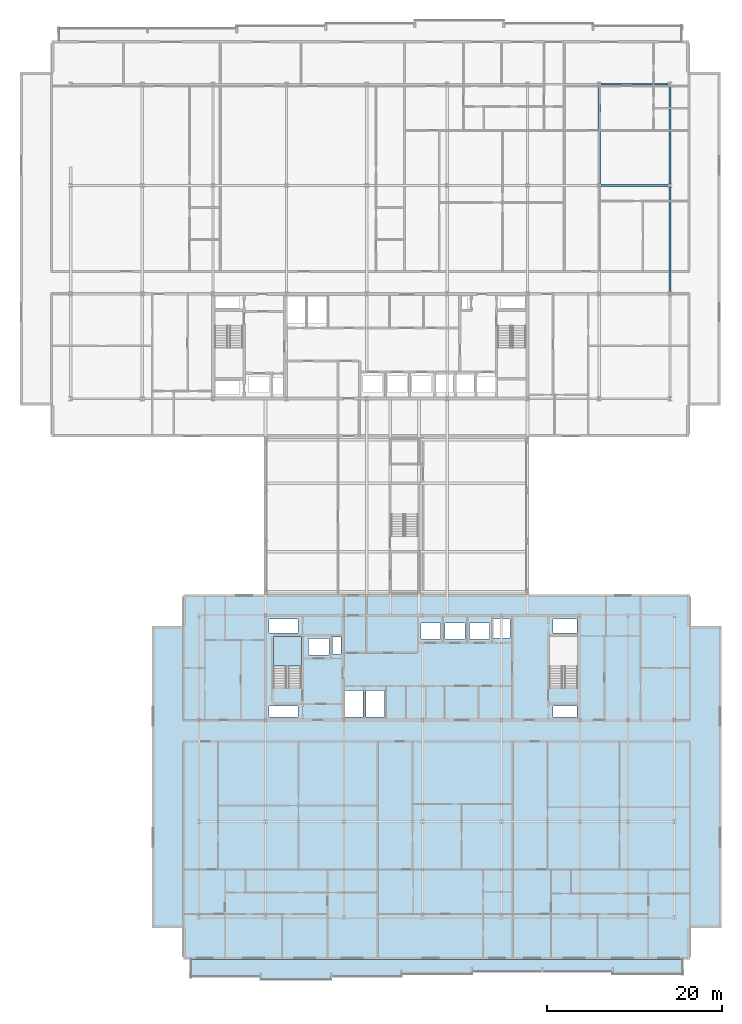
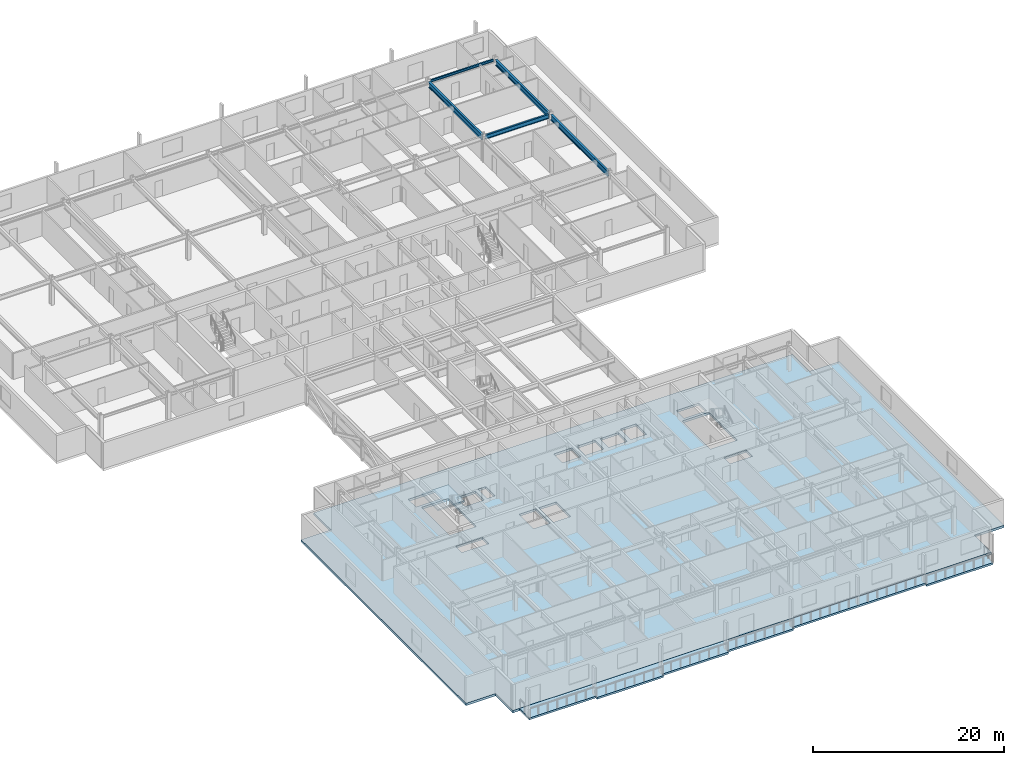
# One storey, part 14 of 36: 5 beams, 3 slabs, 1 element without a shape of its own.
"""IFC4 building model written with IfcOpenShell, lengths in metres."""

from ifc_helpers import new_model, si_unit, direction, frame, origin, origin_2d, place, context, subcontext, project, spatial, polyline, i_section, outline, extrude, material, layer, layer_set, material_profile, profile_set, type_object, element, aggregate, save


model = new_model("IFC4")

# Units and contexts
model_context = context("Model", 3, precision=1e-05, world=origin(), true_north=direction((0.0, 1.0)))
body_context = subcontext(model_context, "Body", "Model", "MODEL_VIEW")
ifc_project = project(units=[si_unit("LENGTHUNIT", "METRE"), si_unit("AREAUNIT", "SQUARE_METRE"), si_unit("VOLUMEUNIT", "CUBIC_METRE"), si_unit("PLANEANGLEUNIT", "RADIAN"), si_unit("MASSUNIT", "GRAM", prefix="KILO")], contexts=[model_context])

# Site, building, storey
site_placement = place(None, origin())
site = spatial("IfcSite", under=ifc_project, at=site_placement, CompositionType="ELEMENT")
building_placement = place(site_placement, origin())
building = spatial("IfcBuilding", under=site, at=building_placement, Name="Korimba Cascade Residences", CompositionType="ELEMENT")
storey_placement = place(building_placement, frame((0.0, 0.0, 146.5)))
storey = spatial("IfcBuildingStorey", under=building, at=storey_placement, Name="L42", CompositionType="ELEMENT", Elevation=146.5)

# Beams
ifc_material_1 = material(Name="Steel S355", Category="steel")
ifc_material_profile_1 = material_profile(ifc_material_1, i_section(OverallWidth=0.165771484375, OverallDepth=0.306640625, WebThickness=0.006591796875, FlangeThickness=0.01171875, FilletRadius=0.0087890625, at=origin_2d()), Name="Steel S355")
ifc_profile_set_1 = profile_set([ifc_material_profile_1], Name="Steel S355")
beam_type_1 = type_object("IfcBeamType", Name="BM-STL-UB305", PredefinedType="SPANDREL", material=ifc_profile_set_1)
beam_1_placement = place(storey_placement, frame((120.506103515625, 91.199951171875, 3.15673828125), z_axis=(1.0, 0.0, 0.0), x_axis=(0.0, 1.0, 0.0)))
element("IfcBeam", 1, at=beam_1_placement, inside=storey, type_object=beam_type_1, Name="L42 T1 E-W Girder Y4 Bay 8", PredefinedType="SPANDREL", context=body_context, shape_type="SweptSolid", body=[
    extrude(i_section(OverallWidth=0.165771484375, OverallDepth=0.306640625, WebThickness=0.006591796875, FlangeThickness=0.01171875, FilletRadius=0.0087890625, at=origin_2d()), origin(), (0.0, 0.0, 1.0), 7.687744140625),
])
ifc_material_profile_2 = material_profile(ifc_material_1, i_section(OverallWidth=0.2099609375, OverallDepth=0.53662109375, WebThickness=0.0107421875, FlangeThickness=0.017333984375, FilletRadius=0.0126953125, at=origin_2d()), Name="Steel S355")
ifc_profile_set_2 = profile_set([ifc_material_profile_2], Name="Steel S355")
beam_type_2 = type_object("IfcBeamType", Name="BM-STL-UB533", PredefinedType="BEAM", material=ifc_profile_set_2)
beam_2_placement = place(storey_placement, frame((120.506103515625, 79.60009765625, 3.041748046875), z_axis=(1.0, 0.0, 0.0), x_axis=(0.0, 1.0, 0.0)))
element("IfcBeam", 2, at=beam_2_placement, inside=storey, type_object=beam_type_2, Name="L42 T1 E-W Girder Y3 Bay 8", PredefinedType="BEAM", context=body_context, shape_type="SweptSolid", body=[
    extrude(i_section(OverallWidth=0.2099609375, OverallDepth=0.53662109375, WebThickness=0.0107421875, FlangeThickness=0.017333984375, FilletRadius=0.0126953125, at=origin_2d()), origin(), (0.0, 0.0, 1.0), 7.687744140625),
])
ifc_material_profile_3 = material_profile(ifc_material_1, i_section(OverallWidth=0.255859375, OverallDepth=0.69287109375, WebThickness=0.014404296875, FlangeThickness=0.023681640625, FilletRadius=0.01513671875, at=origin_2d()), Name="Steel S355")
ifc_profile_set_3 = profile_set([ifc_material_profile_3], Name="Steel S355")
beam_type_3 = type_object("IfcBeamType", Name="BM-STL-UB686", PredefinedType="BEAM", material=ifc_profile_set_3)
beam_3_placement = place(storey_placement, frame((120.300048828125, 79.818359375, 2.96337890625), z_axis=(0.0, 1.0, 0.0), x_axis=(-1.0, 0.0, 0.0)))
element("IfcBeam", 3, at=beam_3_placement, inside=storey, type_object=beam_type_3, Name="L42 T1 N-S Girder X8 Seg 3", PredefinedType="BEAM", context=body_context, shape_type="SweptSolid", body=[
    extrude(i_section(OverallWidth=0.255859375, OverallDepth=0.69287109375, WebThickness=0.014404296875, FlangeThickness=0.023681640625, FilletRadius=0.01513671875, at=origin_2d()), origin(), (0.0, 0.0, 1.0), 11.163330078125),
])
beam_4_placement = place(storey_placement, frame((128.39990234375, 67.418212890625, 2.96337890625), z_axis=(0.0, 1.0, 0.0), x_axis=(-1.0, 0.0, 0.0)))
element("IfcBeam", 4, at=beam_4_placement, inside=storey, type_object=beam_type_3, Name="L42 T1 N-S Girder X9 Seg 2", PredefinedType="BEAM", context=body_context, shape_type="SweptSolid", body=[
    extrude(i_section(OverallWidth=0.255859375, OverallDepth=0.69287109375, WebThickness=0.014404296875, FlangeThickness=0.023681640625, FilletRadius=0.01513671875, at=origin_2d()), origin(), (0.0, 0.0, 1.0), 11.96337890625),
])
beam_5_placement = place(storey_placement, frame((128.39990234375, 79.818359375, 2.96337890625), z_axis=(0.0, 1.0, 0.0), x_axis=(-1.0, 0.0, 0.0)))
element("IfcBeam", 5, at=beam_5_placement, inside=storey, type_object=beam_type_3, Name="L42 T1 N-S Girder X9 Seg 3", PredefinedType="BEAM", context=body_context, shape_type="SweptSolid", body=[
    extrude(i_section(OverallWidth=0.255859375, OverallDepth=0.69287109375, WebThickness=0.014404296875, FlangeThickness=0.023681640625, FilletRadius=0.01513671875, at=origin_2d()), origin(), (0.0, 0.0, 1.0), 11.163330078125),
])

# Stair, slab
ifc_material_2 = material(Name="Concrete C50/60", Category="concrete")
stair_type = type_object("IfcStairType", Name="STR-E1-20R-1800", PredefinedType="HALF_TURN_STAIR", material=ifc_material_2)
stair_placement = place(storey_placement, origin())
stair = element("IfcStair", 6, at=stair_placement, inside=storey, type_object=stair_type, Name="L42 Tower 2 West Fire Stair ST-E1", PredefinedType="HALF_TURN_STAIR")
ifc_layer_1 = layer(ifc_material_2, 0.199951171875)
ifc_layer_set_1 = layer_set([ifc_layer_1], Name="Concrete C50/60")
slab_type_1 = type_object("IfcSlabType", Name="SLB-LND-220", PredefinedType="LANDING", material=ifc_layer_set_1)
slab_1_placement = place(storey_placement, frame((0.0, 0.0, 1.60009765625)))
slab_1 = element("IfcSlab", 7, at=slab_1_placement, type_object=slab_type_1, Name="ST-E1 landing 1", PredefinedType="LANDING", context=body_context, shape_type="SweptSolid", body=[
    extrude(outline(polyline([(86.239990234375, 24.570068359375), (86.239990234375, 28.0), (83.0, 28.0), (83.0, 24.570068359375), (86.239990234375, 24.570068359375)])), origin(), (0.0, 0.0, 1.0), 0.199951171875),
])
aggregate(stair, [slab_1])

# Slabs
ifc_material_3 = material(Name="Precast concrete C40/50", Category="concrete")
ifc_layer_2 = layer(ifc_material_3, 0.239990234375)
ifc_layer_set_2 = layer_set([ifc_layer_2], Name="Precast concrete C40/50")
slab_type_2 = type_object("IfcSlabType", Name="SLB-LOG-240", PredefinedType="FLOOR", material=ifc_layer_set_2)
slab_2_placement = place(storey_placement, frame((0.0, 0.0, -0.239990234375)))
element("IfcSlab", 8, at=slab_2_placement, inside=storey, type_object=slab_type_2, Name="L42 Tower 2 South Loggia Slab", PredefinedType="FLOOR", context=body_context, shape_type="SweptSolid", body=[
    extrude(outline(polyline([(73.5, -11.050048828125), (81.55712890625, -11.050048828125), (81.55712890625, -11.35009765625), (89.6142578125, -11.35009765625), (89.6142578125, -11.050048828125), (97.67138671875, -11.050048828125), (97.67138671875, -10.75), (105.728515625, -10.75), (105.728515625, -10.449951171875), (121.843017578125, -10.449951171875), (121.843017578125, -10.75), (129.89990234375, -10.75), (129.89990234375, -9.0), (73.5, -9.0), (73.5, -11.050048828125)])), origin(), (0.0, 0.0, 1.0), 0.239990234375),
])
ifc_layer_3 = layer(ifc_material_2, 0.280029296875)
ifc_layer_set_3 = layer_set([ifc_layer_3], Name="Concrete C50/60")
slab_type_3 = type_object("IfcSlabType", Name="SLB-TYP-280", PredefinedType="FLOOR", material=ifc_layer_set_3)
slab_3_placement = place(storey_placement, frame((0.0, 0.0, -0.2900390625)))
element("IfcSlab", 9, at=slab_3_placement, inside=storey, type_object=slab_type_3, Name="L42 Tower 2 Floor Slab", PredefinedType="FLOOR", context=body_context, shape_type="SweptSolid", body=[
    extrude(outline(polyline([(72.699951171875, -9.0), (130.699951171875, -9.0), (130.699951171875, -5.39990234375), (134.300048828125, -5.39990234375), (134.300048828125, 29.199951171875), (130.699951171875, 29.199951171875), (130.699951171875, 32.800048828125), (72.699951171875, 32.800048828125), (72.699951171875, 29.199951171875), (69.10009765625, 29.199951171875), (69.10009765625, -5.39990234375), (72.699951171875, -5.39990234375), (72.699951171875, -9.0)]), holes=[polyline([(86.239990234375, 22.0849609375), (86.239990234375, 28.0), (83.0, 28.0), (83.0, 22.0849609375), (86.239990234375, 22.0849609375)]), polyline([(117.840087890625, 22.0849609375), (117.840087890625, 28.0), (114.60009765625, 28.0), (114.60009765625, 22.0849609375), (117.840087890625, 22.0849609375)]), polyline([(87.030029296875, 25.8798828125), (89.3701171875, 25.8798828125), (89.3701171875, 27.719970703125), (87.030029296875, 27.719970703125), (87.030029296875, 25.8798828125)]), polyline([(99.8798828125, 27.679931640625), (102.1201171875, 27.679931640625), (102.1201171875, 29.52001953125), (99.8798828125, 29.52001953125), (99.8798828125, 27.679931640625)]), polyline([(102.679931640625, 27.679931640625), (104.919921875, 27.679931640625), (104.919921875, 29.52001953125), (102.679931640625, 29.52001953125), (102.679931640625, 27.679931640625)]), polyline([(105.47998046875, 27.679931640625), (107.719970703125, 27.679931640625), (107.719970703125, 29.52001953125), (105.47998046875, 29.52001953125), (105.47998046875, 27.679931640625)]), polyline([(89.780029296875, 25.97998046875), (90.719970703125, 25.97998046875), (90.719970703125, 27.919921875), (89.780029296875, 27.919921875), (89.780029296875, 25.97998046875)]), polyline([(82.530029296875, 18.72998046875), (85.800048828125, 18.72998046875), (85.800048828125, 20.0400390625), (82.530029296875, 20.0400390625), (82.530029296875, 18.72998046875)]), polyline([(82.530029296875, 28.360107421875), (85.800048828125, 28.360107421875), (85.800048828125, 29.969970703125), (82.530029296875, 29.969970703125), (82.530029296875, 28.360107421875)]), polyline([(108.22998046875, 27.780029296875), (110.1201171875, 27.780029296875), (110.1201171875, 29.969970703125), (108.22998046875, 29.969970703125), (108.22998046875, 27.780029296875)]), polyline([(91.22998046875, 18.72998046875), (93.27001953125, 18.72998046875), (93.27001953125, 21.780029296875), (91.22998046875, 21.780029296875), (91.22998046875, 18.72998046875)]), polyline([(93.6298828125, 18.72998046875), (95.719970703125, 18.72998046875), (95.719970703125, 21.780029296875), (93.6298828125, 21.780029296875), (93.6298828125, 18.72998046875)]), polyline([(115.02001953125, 18.72998046875), (117.739990234375, 18.72998046875), (117.739990234375, 20.0400390625), (115.02001953125, 20.0400390625), (115.02001953125, 18.72998046875)]), polyline([(115.02001953125, 28.360107421875), (117.739990234375, 28.360107421875), (117.739990234375, 29.969970703125), (115.02001953125, 29.969970703125), (115.02001953125, 28.360107421875)])]), origin(), (0.0, 0.0, 1.0), 0.2900390625),
])

save(model, "model.ifc")
